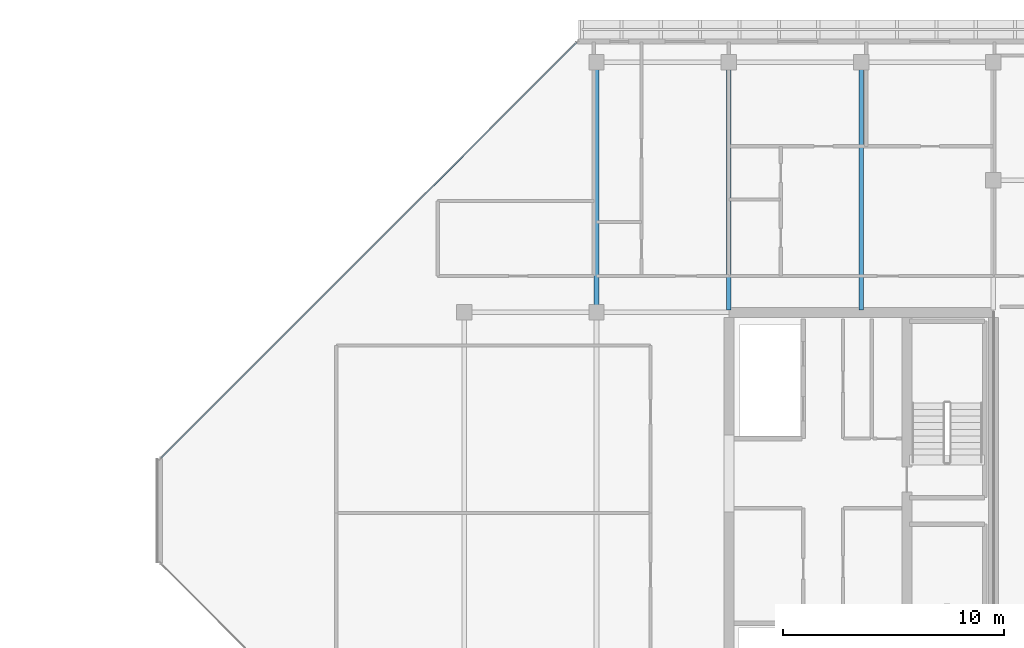
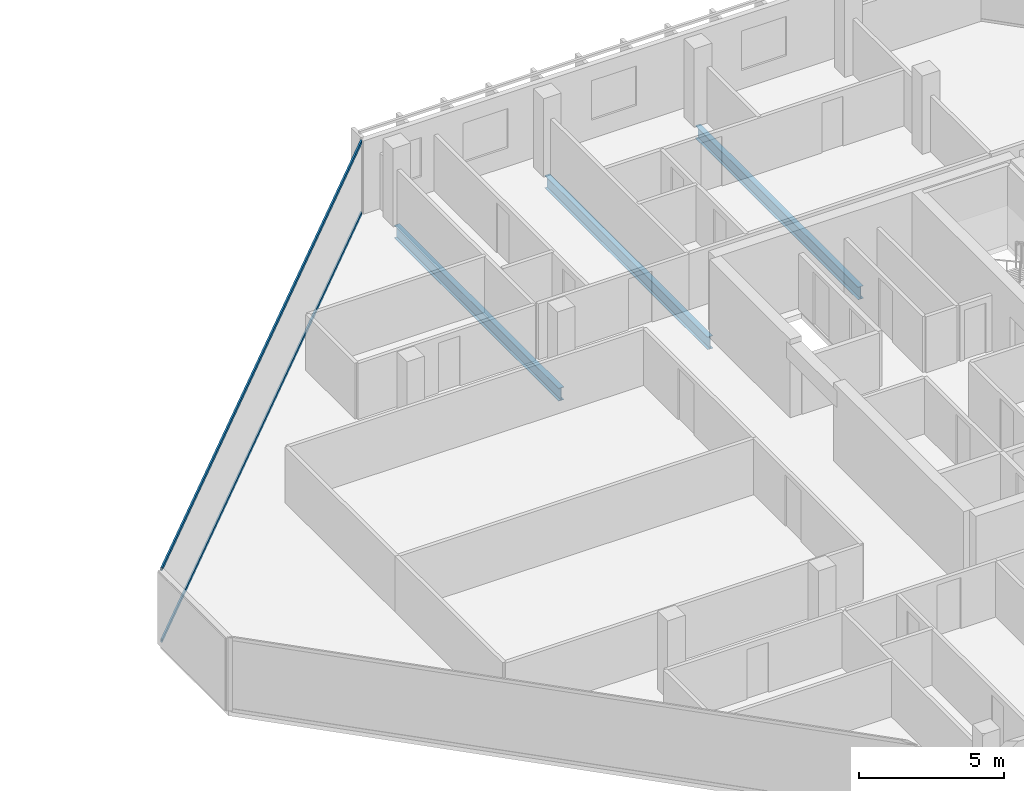
# One storey, part 13 of 28: 3 beams, 2 members, 1 element without a shape of its own.
"""IFC4 building model written with IfcOpenShell, lengths in metres."""

import ifcopenshell
import ifcopenshell.guid

model = None  # the IFC model being written
_history = None  # IfcOwnerHistory: only IFC2X3 demands one
_inside = {}  # id of a spatial element -> (the spatial element, [elements in it])
_under = {}  # id of a project, library or spatial element -> (it, [spatial elements below it])
_declared = {}  # id of a project -> (the project, [libraries it declares])
_typed = {}  # id of a type object -> (the type object, [elements of that type])
_made_of = {}  # id of a material, layer set ... -> (it, [elements and type objects made of it])


def new_model(schema):
    """Start an empty IFC model of exactly this schema.

    Asked for "IFC4X3", IfcOpenShell would pick the latest addendum, in which some entities
    have other attributes; the version numbers below select the first issue.
    IFC2X3 requires an IfcOwnerHistory on every rooted entity: one is made here for all.
    """
    global model, _history
    if schema == "IFC4X3":
        model = ifcopenshell.file(schema_version=(4, 3, 0, 0))
    else:
        model = ifcopenshell.file(schema=schema)
    _inside.clear()
    _under.clear()
    _declared.clear()
    _typed.clear()
    _made_of.clear()
    _history = None
    if model.schema == "IFC2X3":
        org = make("IfcOrganization", Name="unknown")
        user = make(
            "IfcPersonAndOrganization",
            ThePerson=make("IfcPerson", FamilyName="unknown"),
            TheOrganization=org,
        )
        app = make(
            "IfcApplication",
            ApplicationDeveloper=org,
            Version="unknown",
            ApplicationFullName="unknown",
            ApplicationIdentifier="unknown",
        )
        _history = make(
            "IfcOwnerHistory",
            OwningUser=user,
            OwningApplication=app,
            ChangeAction="ADDED",
            CreationDate=0,
        )
    return model


def make(cls, **values):
    """One entity of the class cls with the attributes given. An attribute that is None is left unset."""
    return model.create_entity(
        cls, **{name: value for name, value in values.items() if value is not None}
    )


def rooted(cls, **values):
    """An entity with a GlobalId (a new one), such as an element, a storey or a relation."""
    return make(cls, GlobalId=ifcopenshell.guid.new(), OwnerHistory=_history, **values)


def si_unit(unit_type, name, prefix=None):
    """IfcSIUnit, for example si_unit("LENGTHUNIT", "METRE", prefix="MILLI")."""
    return make("IfcSIUnit", UnitType=unit_type, Prefix=prefix, Name=name)


def assignment(units):
    """IfcUnitAssignment: the units of a project."""
    return None if units is None else make("IfcUnitAssignment", Units=units)


def point(xyz):
    """IfcCartesianPoint."""
    return None if xyz is None else make("IfcCartesianPoint", Coordinates=xyz)


def direction(xyz):
    """IfcDirection."""
    return None if xyz is None else make("IfcDirection", DirectionRatios=xyz)


def frame(location, z_axis=None, x_axis=None):
    """IfcAxis2Placement3D, a coordinate frame: its origin and axes. An axis left out is left unset."""
    return make(
        "IfcAxis2Placement3D",
        Location=point(location),
        Axis=direction(z_axis),
        RefDirection=direction(x_axis),
    )


def frame_2d(location, x_axis=None):
    """IfcAxis2Placement2D, a coordinate frame in the plane: its origin and x axis."""
    return make(
        "IfcAxis2Placement2D", Location=point(location), RefDirection=direction(x_axis)
    )


def origin():
    """The frame at (0, 0, 0) with its axes left unset."""
    return frame((0.0, 0.0, 0.0))


def origin_2d():
    """The frame at (0, 0) in the plane with its x axis left unset."""
    return frame_2d((0.0, 0.0))


def place(relative_to, where):
    """IfcLocalPlacement: puts the frame where relative to a parent placement (None: the world)."""
    return make(
        "IfcLocalPlacement", PlacementRelTo=relative_to, RelativePlacement=where
    )


def context(
    kind, dimensions, precision=None, world=None, true_north=None, identifier=None
):
    """IfcGeometricRepresentationContext, for example the 3D "Model" context."""
    return make(
        "IfcGeometricRepresentationContext",
        ContextIdentifier=identifier,
        ContextType=kind,
        CoordinateSpaceDimension=dimensions,
        Precision=precision,
        WorldCoordinateSystem=world,
        TrueNorth=true_north,
    )


def subcontext(parent, identifier, kind, view, scale=None):
    """IfcGeometricRepresentationSubContext, for example "Body" below "Model"."""
    return make(
        "IfcGeometricRepresentationSubContext",
        ContextIdentifier=identifier,
        ContextType=kind,
        ParentContext=parent,
        TargetScale=scale,
        TargetView=view,
    )


def project(units=None, contexts=None):
    """IfcProject with its units and contexts."""
    return rooted(
        "IfcProject",
        Name="project",
        RepresentationContexts=contexts,
        UnitsInContext=assignment(units),
    )


def spatial(cls, under=None, at=None, **own):
    """A site, building, storey or space (cls), placed at a placement, below another one or the project."""
    s = rooted(cls, ObjectPlacement=at, **own)
    if under is not None:
        _under.setdefault(under.id(), (under, []))[1].append(s)
    return s


def profile(cls, at=None, kind="AREA", **sizes):
    """A parametric profile (cls). Its sizes go by their IFC names, for example OverallWidth=200.0."""
    return make(cls, ProfileType=kind, Position=at, **sizes)


def hollow_rectangle(**sizes):
    """IfcRectangleHollowProfileDef."""
    return profile("IfcRectangleHollowProfileDef", **sizes)


def i_section(**sizes):
    """IfcIShapeProfileDef."""
    return profile("IfcIShapeProfileDef", **sizes)


def extrude(swept, where, along, depth):
    """IfcExtrudedAreaSolid: the profile swept, set in the frame where, extruded along a direction by depth."""
    return make(
        "IfcExtrudedAreaSolid",
        SweptArea=swept,
        Position=where,
        ExtrudedDirection=direction(along),
        Depth=depth,
    )


def shape(context_of_items, identifier, shape_type, items):
    """IfcShapeRepresentation: the items that make up one representation, for example the "Body"."""
    return make(
        "IfcShapeRepresentation",
        ContextOfItems=context_of_items,
        RepresentationIdentifier=identifier,
        RepresentationType=shape_type,
        Items=items,
    )


def material(Name=None, Category=None):
    """IfcMaterial."""
    return make("IfcMaterial", Name=Name, Category=Category)


def layer(
    of_material, thickness, ventilated=None, Name=None, Category=None, Priority=None
):
    """IfcMaterialLayer: one layer of a wall or slab, of a material (None: an air gap)."""
    return make(
        "IfcMaterialLayer",
        Material=of_material,
        LayerThickness=thickness,
        IsVentilated=ventilated,
        Name=Name,
        Category=Category,
        Priority=Priority,
    )


def layer_set(layers, Name=None):
    """IfcMaterialLayerSet."""
    return make("IfcMaterialLayerSet", MaterialLayers=layers, LayerSetName=Name)


def material_profile(
    of_material, cross_section, Name=None, Category=None, Priority=None
):
    """IfcMaterialProfile: a cross section and its material."""
    return make(
        "IfcMaterialProfile",
        Name=Name,
        Material=of_material,
        Profile=cross_section,
        Priority=Priority,
        Category=Category,
    )


def profile_set(profiles, Name=None, composite=None):
    """IfcMaterialProfileSet."""
    return make(
        "IfcMaterialProfileSet",
        Name=Name,
        MaterialProfiles=profiles,
        CompositeProfile=composite,
    )


def made_of(thing, what):
    """Note that an element or type object is made of a material, layer set ...; save() writes the relation."""
    if what is not None:
        _made_of.setdefault(what.id(), (what, []))[1].append(thing)
    return thing


def type_object(cls, material=None, **own):
    """A type object (cls), such as IfcWallType, which elements share."""
    return made_of(rooted(cls, **own), material)


def element(
    cls,
    number,
    at=None,
    inside=None,
    cuts=None,
    type_object=None,
    material=None,
    context=None,
    identifier="Body",
    shape_type=None,
    held_by="IfcProductDefinitionShape",
    body=None,
    shapes=None,
    **own,
):
    """One element of the class cls, such as IfcWall. Its Tag is "e" and its number.

    at: its placement. inside: the storey or other place that contains it. cuts: it is an
    opening in that element (IfcRelVoidsElement). A single representation is given by context,
    identifier, shape_type and body (its items); several are given by shapes. held_by: the class
    of the entity that holds the representations. save() writes the other relations.
    """
    e = rooted(cls, Tag="e%d" % number, ObjectPlacement=at, **own)
    if body is not None:
        shapes = [shape(context, identifier, shape_type, body)]
    if shapes is not None:
        e.Representation = make(held_by, Representations=shapes)
    if inside is not None:
        _inside.setdefault(inside.id(), (inside, []))[1].append(e)
    if cuts is not None:
        rooted(
            "IfcRelVoidsElement", RelatingBuildingElement=cuts, RelatedOpeningElement=e
        )
    if type_object is not None:
        _typed.setdefault(type_object.id(), (type_object, []))[1].append(e)
    return made_of(e, material)


def aggregate(whole, parts):
    """IfcRelAggregates: a whole, such as a stair, and the parts it consists of."""
    return rooted("IfcRelAggregates", RelatingObject=whole, RelatedObjects=parts)


def save(model, path):
    """Write the relations noted so far, then the file.

    IfcRelAggregates (storeys below a building ...), IfcRelContainedInSpatialStructure (elements
    in a storey), IfcRelDefinesByType, IfcRelAssociatesMaterial and IfcRelDeclares: one each for
    every whole, place, type object, material and project.
    """
    for whole, parts in _under.values():
        aggregate(whole, parts)
    for where, things in _inside.values():
        rooted(
            "IfcRelContainedInSpatialStructure",
            RelatedElements=things,
            RelatingStructure=where,
        )
    for kind, things in _typed.values():
        rooted("IfcRelDefinesByType", RelatedObjects=things, RelatingType=kind)
    for what, things in _made_of.values():
        rooted("IfcRelAssociatesMaterial", RelatedObjects=things, RelatingMaterial=what)
    for by, libraries in _declared.values():
        rooted("IfcRelDeclares", RelatingContext=by, RelatedDefinitions=libraries)
    model.write(path)


model = new_model("IFC4")

# Units and contexts
model_context = context("Model", 3, precision=1e-05, world=origin(), true_north=direction((0.0, 1.0)))
body_context = subcontext(model_context, "Body", "Model", "MODEL_VIEW")
ifc_project = project(units=[si_unit("LENGTHUNIT", "METRE"), si_unit("AREAUNIT", "SQUARE_METRE"), si_unit("VOLUMEUNIT", "CUBIC_METRE"), si_unit("PLANEANGLEUNIT", "RADIAN"), si_unit("MASSUNIT", "GRAM", prefix="KILO")], contexts=[model_context])

# Site, building, storey
site_placement = place(None, origin())
site = spatial("IfcSite", under=ifc_project, at=site_placement, CompositionType="ELEMENT")
building_placement = place(site_placement, origin())
building = spatial("IfcBuilding", under=site, at=building_placement, Name="Tanjung Sevakor Pilgrim Tower", CompositionType="ELEMENT")
storey_placement = place(building_placement, frame((0.0, 0.0, 239.25)))
storey = spatial("IfcBuildingStorey", under=building, at=storey_placement, Name="L67", CompositionType="ELEMENT", Elevation=239.25)

# Beams
ifc_material_1 = material(Name="Steel S355J2", Category="steel")
ifc_material_profile_1 = material_profile(ifc_material_1, i_section(OverallWidth=0.210693359375, OverallDepth=0.53955078125, WebThickness=0.01171875, FlangeThickness=0.018798828125, FilletRadius=0.0126953125, at=origin_2d()))
ifc_profile_set_1 = profile_set([ifc_material_profile_1], Name="Steel S355J2")
beam_type = type_object("IfcBeamType", Name="BM-B-G6-UB_533x210x109", PredefinedType="BEAM", material=ifc_profile_set_1)
beam_placement = place(storey_placement, frame((72.0, 42.60009765625, -0.48974609375), z_axis=(0.0, 1.0, 0.0), x_axis=(-1.0, 0.0, 0.0)))
element("IfcBeam", 1, at=beam_placement, inside=storey, type_object=beam_type, Name="L67 EAST Girder 004", PredefinedType="BEAM", context=body_context, shape_type="SweptSolid", body=[
    extrude(i_section(OverallWidth=0.210693359375, OverallDepth=0.53955078125, WebThickness=0.01171875, FlangeThickness=0.018798828125, FilletRadius=0.0126953125, at=origin_2d()), origin(), (0.0, 0.0, 1.0), 11.349853515625),
])
for number, where, z_axis, x_axis, name in (
    (2, (78.0, 42.7060546875, -0.48974609375), (0.0, 1.0, 0.0), (-1.0, 0.0, 0.0), "L67 EAST Girder 006"),
    (3, (84.0, 42.7060546875, -0.48974609375), (0.0, 1.0, 0.0), (-1.0, 0.0, 0.0), "L67 EAST Girder 008"),
):
    element("IfcBeam", number, at=place(storey_placement, frame(where, z_axis=z_axis, x_axis=x_axis)), inside=storey, type_object=beam_type, Name=name, PredefinedType="BEAM", context=body_context, shape_type="SweptSolid", body=[
        extrude(i_section(OverallWidth=0.210693359375, OverallDepth=0.53955078125, WebThickness=0.01171875, FlangeThickness=0.018798828125, FilletRadius=0.0126953125, at=origin_2d()), origin(), (0.0, 0.0, 1.0), 11.243896484375),
    ])

# Curtain wall, members
ifc_material_2 = material(Name="Aluminium 6063-T6 and Low-E Glass", Category="aluminium")
ifc_layer = layer(ifc_material_2, 0.179931640625)
ifc_layer_set = layer_set([ifc_layer], Name="CW-SYS-CHAM")
curtain_wall_type = type_object("IfcCurtainWallType", Name="CW-SYS-CHAM", PredefinedType="NOTDEFINED", material=ifc_layer_set)
curtain_wall_placement = place(storey_placement, origin())
curtain_wall = element("IfcCurtainWall", 4, at=curtain_wall_placement, inside=storey, type_object=curtain_wall_type, Name="L67 Curtain Wall CW-CHM-L67-EAST-5", PredefinedType="NOTDEFINED")
ifc_material_3 = material(Name="Aluminium 6063-T6", Category="aluminium")
ifc_material_profile_2 = material_profile(ifc_material_3, hollow_rectangle(XDim=0.06494140625, YDim=0.139892578125, WallThickness=0.00390625, at=origin_2d()))
ifc_profile_set_2 = profile_set([ifc_material_profile_2], Name="Aluminium 6063-T6")
member_type = type_object("IfcMemberType", Name="TYPE-CWT-1", PredefinedType="USERDEFINED", material=ifc_profile_set_2)
member_1_placement = place(storey_placement, frame((71.099609375, 54.843994140625, 0.032470703125), z_axis=(-0.707106781187, -0.707106781187, 0.0), x_axis=(0.707106781187, -0.707106781187, 0.0)))
member_1 = element("IfcMember", 5, at=member_1_placement, type_object=member_type, Name="CW-CHM transom 1.1", ObjectType="TRANSOM", PredefinedType="USERDEFINED", context=body_context, shape_type="SweptSolid", body=[
    extrude(hollow_rectangle(XDim=0.06494140625, YDim=0.139892578125, WallThickness=0.00390625, at=origin_2d()), origin(), (0.0, 0.0, 1.0), 26.649169921875),
])
member_2_placement = place(storey_placement, frame((71.099609375, 54.843994140625, 3.047607421875), z_axis=(-0.707106781187, -0.707106781187, 0.0), x_axis=(0.707106781187, -0.707106781187, 0.0)))
member_2 = element("IfcMember", 6, at=member_2_placement, type_object=member_type, Name="CW-CHM transom 1.2", ObjectType="TRANSOM", PredefinedType="USERDEFINED", context=body_context, shape_type="SweptSolid", body=[
    extrude(hollow_rectangle(XDim=0.06494140625, YDim=0.139892578125, WallThickness=0.00390625, at=origin_2d()), origin(), (0.0, 0.0, 1.0), 26.649169921875),
])
aggregate(curtain_wall, [member_1, member_2])

save(model, "model.ifc")
